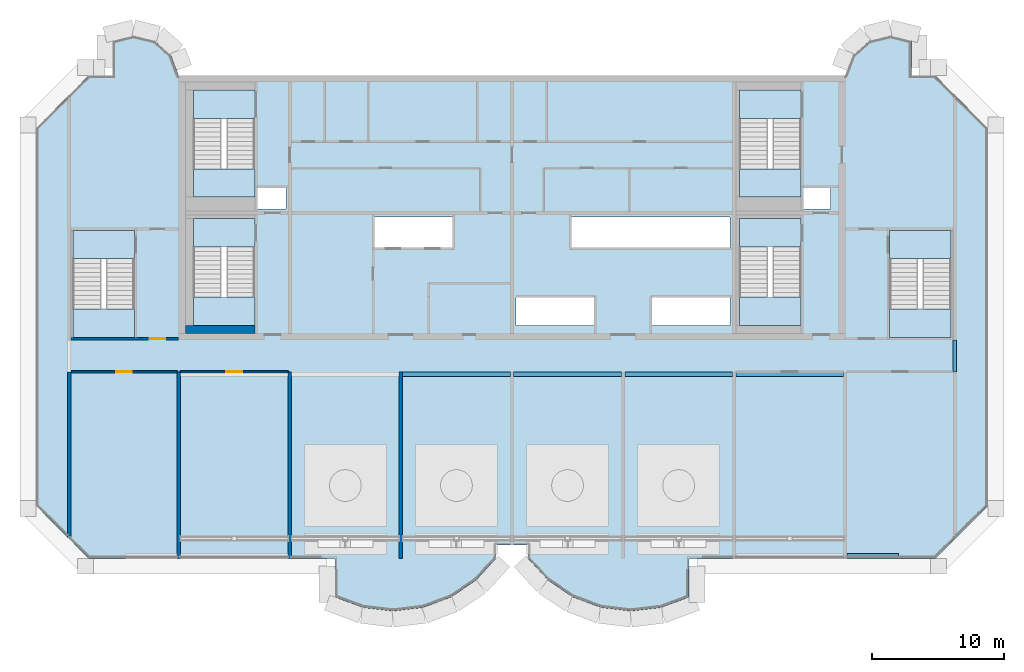
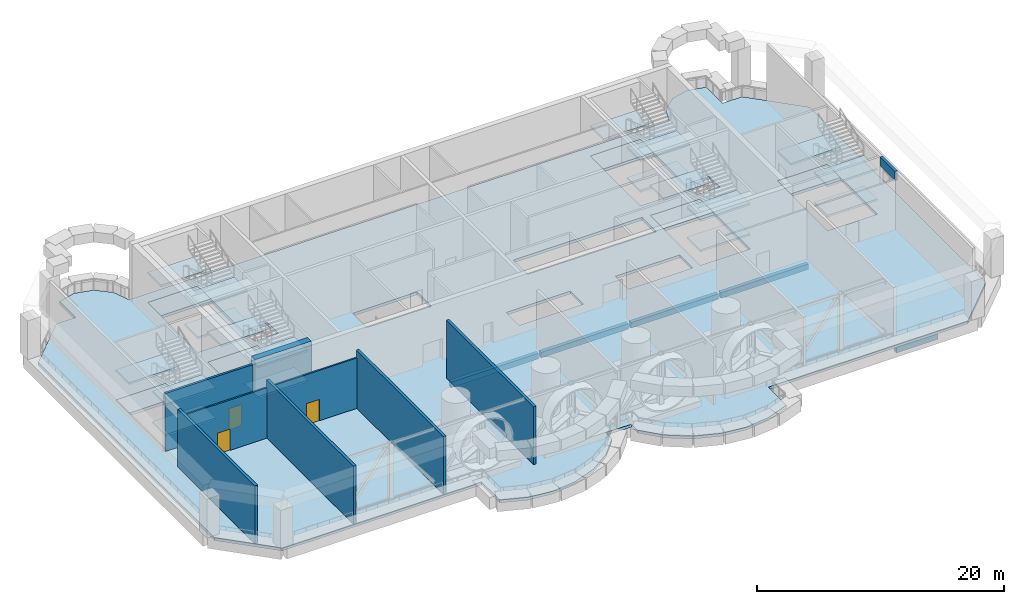
# One storey, part 2 of 15: 25 slabs, 8 walls, 6 beams, 3 doors, 3 openings, 6 elements without a shape of their own.
"""IFC4 building model written with IfcOpenShell, lengths in metres."""

from ifc_helpers import new_model, si_unit, direction, frame, frame_2d, origin, origin_2d, place, context, subcontext, project, spatial, polyline, rectangle, outline, extrude, source, transform, mapped, material, layer, layer_set, material_profile, profile_set, type_object, element, fill, aggregate, save


model = new_model("IFC4")

# Units and contexts
model_context = context("Model", 3, precision=1e-05, world=origin(), true_north=direction((0.0, 1.0)))
body_context = subcontext(model_context, "Body", "Model", "MODEL_VIEW")
ifc_project = project(units=[si_unit("LENGTHUNIT", "METRE"), si_unit("AREAUNIT", "SQUARE_METRE"), si_unit("VOLUMEUNIT", "CUBIC_METRE"), si_unit("PLANEANGLEUNIT", "RADIAN"), si_unit("MASSUNIT", "GRAM", prefix="KILO")], contexts=[model_context])

# Site, building, storey
site_placement = place(None, origin())
site = spatial("IfcSite", under=ifc_project, at=site_placement, CompositionType="ELEMENT")
building_placement = place(site_placement, origin())
building = spatial("IfcBuilding", under=site, at=building_placement, Name="Vanashikhar Sky Hotel", CompositionType="ELEMENT")
storey_placement = place(building_placement, frame((0.0, 0.0, 317.699951171875)))
storey = spatial("IfcBuildingStorey", under=building, at=storey_placement, Name="L76", CompositionType="ELEMENT", Elevation=317.699951171875)

# Beams
ifc_material_1 = material(Name="Concrete M50", Category="concrete")
ifc_material_profile_1 = material_profile(ifc_material_1, rectangle(XDim=0.25, YDim=0.89990234375, at=origin_2d()))
ifc_profile_set_1 = profile_set([ifc_material_profile_1], Name="RC 250x900 beam Concrete M50")
beam_type_1 = type_object("IfcBeamType", Name="RC 250x900 beam Concrete M50", PredefinedType="LINTEL", material=ifc_profile_set_1)
shared_shape_1 = source(origin(), body_context, "Body", "SweptSolid", [
    extrude(rectangle(XDim=0.25, YDim=0.89990234375, at=origin_2d()), origin(), (0.0, 0.0, 1.0), 2.39990234375),
])
beam_1_placement = place(storey_placement, frame((83.875, 19.60009765625, 5.27001953125), z_axis=(0.0, 1.0, 0.0), x_axis=(-1.0, 0.0, 0.0)))
element("IfcBeam", 1, at=beam_1_placement, inside=storey, type_object=beam_type_1, Name="LB-L76-XW11", PredefinedType="LINTEL", context=body_context, shape_type="MappedRepresentation", body=[
    mapped(shared_shape_1, transform((0.0, 0.0, 0.0), scale=1.0)),
])
ifc_material_profile_2 = material_profile(ifc_material_1, rectangle(XDim=0.35009765625, YDim=0.550048828125, at=origin_2d()))
ifc_profile_set_2 = profile_set([ifc_material_profile_2], Name="RC 350x550 beam Concrete M50")
beam_type_2 = type_object("IfcBeamType", Name="RC 350x550 beam Concrete M50", PredefinedType="SPANDREL", material=ifc_profile_set_2)
shared_shape_2 = source(origin(), body_context, "Body", "SweptSolid", [
    extrude(rectangle(XDim=0.35009765625, YDim=0.550048828125, at=origin_2d()), origin(), (0.0, 0.0, 1.0), 8.150146484375),
])
for number, where, z_axis, x_axis, name in (
    (2, (50.52490234375, 19.425048828125, -0.554931640625), (1.0, 0.0, 0.0), (0.0, 1.0, 0.0), "CB-L76-04"),
    (3, (67.324951171875, 19.425048828125, -0.554931640625), (1.0, 0.0, 0.0), (0.0, 1.0, 0.0), "CB-L76-06"),
):
    element("IfcBeam", number, at=place(storey_placement, frame(where, z_axis=z_axis, x_axis=x_axis)), inside=storey, type_object=beam_type_2, Name=name, PredefinedType="SPANDREL", context=body_context, shape_type="MappedRepresentation", body=[
        mapped(shared_shape_2, transform((0.0, 0.0, 0.0), scale=1.0)),
    ])
ifc_material_profile_3 = material_profile(ifc_material_1, rectangle(XDim=0.35009765625, YDim=0.550048828125, at=origin_2d()))
ifc_profile_set_3 = profile_set([ifc_material_profile_3], Name="RC 350x550 cantilever beam Concrete M50")
beam_type_3 = type_object("IfcBeamType", Name="RC 350x550 cantilever beam Concrete M50", PredefinedType="SPANDREL", material=ifc_profile_set_3)
shared_shape_3 = source(origin(), body_context, "Body", "SweptSolid", [
    extrude(rectangle(XDim=0.35009765625, YDim=0.550048828125, at=origin_2d()), origin(), (0.0, 0.0, 1.0), 3.89990234375),
])
beam_2_placement = place(storey_placement, frame((75.72509765625, 5.675048828125, -0.554931640625), z_axis=(1.0, 0.0, 0.0), x_axis=(0.0, 1.0, 0.0)))
element("IfcBeam", 4, at=beam_2_placement, inside=storey, type_object=beam_type_3, Name="EB-L76-F04", PredefinedType="SPANDREL", context=body_context, shape_type="MappedRepresentation", body=[
    mapped(shared_shape_3, transform((0.0, 0.0, 0.0), scale=1.0)),
])
shared_shape_4 = source(origin(), body_context, "Body", "SweptSolid", [
    extrude(rectangle(XDim=0.35009765625, YDim=0.550048828125, at=origin_2d()), origin(), (0.0, 0.0, 1.0), 8.14990234375),
])
for number, where, z_axis, x_axis, name in (
    (5, (42.125, 19.425048828125, -0.554931640625), (1.0, 0.0, 0.0), (0.0, 1.0, 0.0), "CB-L76-03"),
    (6, (58.925048828125, 19.425048828125, -0.554931640625), (1.0, 0.0, 0.0), (0.0, 1.0, 0.0), "CB-L76-05"),
):
    element("IfcBeam", number, at=place(storey_placement, frame(where, z_axis=z_axis, x_axis=x_axis)), inside=storey, type_object=beam_type_2, Name=name, PredefinedType="SPANDREL", context=body_context, shape_type="MappedRepresentation", body=[
        mapped(shared_shape_4, transform((0.0, 0.0, 0.0), scale=1.0)),
    ])

# Slab
ifc_material_2 = material(Name="Concrete M40", Category="concrete")
ifc_layer_1 = layer(ifc_material_2, 0.280029296875)
ifc_layer_set_1 = layer_set([ifc_layer_1], Name="Floor slab 280 mm")
slab_type_1 = type_object("IfcSlabType", Name="Floor slab 280 mm", PredefinedType="FLOOR", material=ifc_layer_set_1)
shared_shape_5 = source(origin(), body_context, "Body", "SweptSolid", [
    extrude(outline(polyline([(49.199951171875, 5.5), (49.199951171875, 6.5), (51.60009765625, 6.5), (51.60009765625, 5.5), (53.133056640625, 3.825927734375), (55.01708984375, 2.55810546875), (57.14599609375, 1.76806640625), (59.39990234375, 1.5), (61.654052734375, 1.76806640625), (63.782958984375, 2.55810546875), (63.782958984375, 5.5), (82.39990234375, 5.5), (86.39990234375, 9.5), (86.39990234375, 38.0), (82.39990234375, 42.0), (80.587890625, 42.0), (80.587890625, 44.610107421875), (79.0, 45.0), (77.412109375, 44.610107421875), (76.18505859375, 43.527099609375), (75.60009765625, 42.0), (25.199951171875, 42.0), (24.614990234375, 43.527099609375), (23.387939453125, 44.610107421875), (21.800048828125, 45.0), (20.2119140625, 44.610107421875), (20.2119140625, 42.0), (18.39990234375, 42.0), (14.39990234375, 38.0), (14.39990234375, 9.5), (18.39990234375, 5.5), (37.01708984375, 5.5), (37.01708984375, 2.55810546875), (39.14599609375, 1.76806640625), (41.39990234375, 1.5), (43.654052734375, 1.76806640625), (45.782958984375, 2.55810546875), (47.6669921875, 3.825927734375), (49.199951171875, 5.5)]), holes=[polyline([(33.300048828125, 33.60009765625), (31.050048828125, 33.60009765625), (31.050048828125, 31.89990234375), (33.300048828125, 31.89990234375), (33.300048828125, 33.60009765625)]), polyline([(39.89990234375, 31.300048828125), (39.89990234375, 29.0), (45.89990234375, 29.0), (45.89990234375, 31.300048828125), (39.89990234375, 31.300048828125)]), polyline([(50.699951171875, 25.199951171875), (50.699951171875, 23.10009765625), (56.699951171875, 23.10009765625), (56.699951171875, 25.199951171875), (50.699951171875, 25.199951171875)]), polyline([(66.89990234375, 29.0), (66.89990234375, 31.300048828125), (54.89990234375, 31.300048828125), (54.89990234375, 29.0), (66.89990234375, 29.0)]), polyline([(60.89990234375, 25.199951171875), (60.89990234375, 23.10009765625), (66.89990234375, 23.10009765625), (66.89990234375, 25.199951171875), (60.89990234375, 25.199951171875)]), polyline([(74.5, 33.60009765625), (72.35009765625, 33.60009765625), (72.35009765625, 31.89990234375), (74.5, 31.89990234375), (74.5, 33.60009765625)]), polyline([(30.949951171875, 23.10009765625), (30.949951171875, 31.199951171875), (26.300048828125, 31.199951171875), (26.300048828125, 23.10009765625), (30.949951171875, 23.10009765625)]), polyline([(72.25, 23.10009765625), (72.25, 31.199951171875), (67.60009765625, 31.199951171875), (67.60009765625, 23.10009765625), (72.25, 23.10009765625)]), polyline([(30.949951171875, 32.800048828125), (30.949951171875, 40.89990234375), (26.300048828125, 40.89990234375), (26.300048828125, 32.800048828125), (30.949951171875, 32.800048828125)]), polyline([(72.25, 32.800048828125), (72.25, 40.89990234375), (67.60009765625, 40.89990234375), (67.60009765625, 32.800048828125), (72.25, 32.800048828125)]), polyline([(83.60009765625, 22.199951171875), (83.60009765625, 30.300048828125), (78.949951171875, 30.300048828125), (78.949951171875, 22.199951171875), (83.60009765625, 22.199951171875)]), polyline([(21.85009765625, 22.199951171875), (21.85009765625, 30.300048828125), (17.199951171875, 30.300048828125), (17.199951171875, 22.199951171875), (21.85009765625, 22.199951171875)])]), origin(), (0.0, 0.0, 1.0), 0.280029296875),
])
slab_1_placement = place(storey_placement, frame((0.0, 0.0, -0.280029296875)))
element("IfcSlab", 7, at=slab_1_placement, inside=storey, type_object=slab_type_1, Name="Floor slab L76", PredefinedType="FLOOR", context=body_context, shape_type="MappedRepresentation", body=[
    mapped(shared_shape_5, transform((0.0, 0.0, 0.0), scale=1.0)),
])

# Stair, slabs
stair_type = type_object("IfcStairType", Name="Exit stair 2150", PredefinedType="DOUBLE_RETURN_STAIR", material=ifc_material_2)
stair_1_placement = place(storey_placement, origin())
stair_1 = element("IfcStair", 8, at=stair_1_placement, inside=storey, type_object=stair_type, Name="L76 Exit stair 1", PredefinedType="DOUBLE_RETURN_STAIR")
ifc_layer_2 = layer(ifc_material_2, 0.199951171875)
ifc_layer_set_2 = layer_set([ifc_layer_2], Name="Stair landing 200")
slab_type_2 = type_object("IfcSlabType", Name="Stair landing 200", PredefinedType="LANDING", material=ifc_layer_set_2)
shared_shape_6 = source(origin(), body_context, "Body", "SweptSolid", [
    extrude(outline(polyline([(30.949951171875, 29.050048828125), (30.949951171875, 31.199951171875), (26.300048828125, 31.199951171875), (26.300048828125, 29.050048828125), (30.949951171875, 29.050048828125)])), origin(), (0.0, 0.0, 1.0), 0.199951171875),
])
slab_2_placement = place(storey_placement, frame((0.0, 0.0, 2.800048828125)))
slab_2 = element("IfcSlab", 9, at=slab_2_placement, type_object=slab_type_2, Name="ST-C1 landing 2", PredefinedType="LANDING", context=body_context, shape_type="MappedRepresentation", body=[
    mapped(shared_shape_6, transform((0.0, 0.0, 0.0), scale=1.0)),
])
shared_shape_7 = source(origin(), body_context, "Body", "SweptSolid", [
    extrude(outline(polyline([(30.949951171875, 23.10009765625), (30.949951171875, 25.25), (26.300048828125, 25.25), (26.300048828125, 23.10009765625), (30.949951171875, 23.10009765625)])), origin(), (0.0, 0.0, 1.0), 0.199951171875),
])
slab_3_placement = place(storey_placement, frame((0.0, 0.0, 1.300048828125)))
slab_3 = element("IfcSlab", 10, at=slab_3_placement, type_object=slab_type_2, Name="ST-C1 landing 1", PredefinedType="LANDING", context=body_context, shape_type="MappedRepresentation", body=[
    mapped(shared_shape_7, transform((0.0, 0.0, 0.0), scale=1.0)),
])
slab_4_placement = place(storey_placement, frame((0.0, 0.0, 4.300048828125)))
slab_4 = element("IfcSlab", 11, at=slab_4_placement, type_object=slab_type_2, Name="ST-C1 landing 3", PredefinedType="LANDING", context=body_context, shape_type="MappedRepresentation", body=[
    mapped(shared_shape_7, transform((0.0, 0.0, 0.0), scale=1.0)),
])
aggregate(stair_1, [slab_3, slab_2, slab_4])

# Slab
ifc_layer_3 = layer(ifc_material_2, 0.280029296875)
ifc_layer_set_3 = layer_set([ifc_layer_3], Name="Stair floor landing 280")
slab_type_3 = type_object("IfcSlabType", Name="Stair floor landing 280", PredefinedType="LANDING", material=ifc_layer_set_3)
shared_shape_8 = source(origin(), body_context, "Body", "SweptSolid", [
    extrude(outline(polyline([(30.949951171875, 29.050048828125), (30.949951171875, 31.199951171875), (26.300048828125, 31.199951171875), (26.300048828125, 29.050048828125), (30.949951171875, 29.050048828125)])), origin(), (0.0, 0.0, 1.0), 0.280029296875),
])
slab_5_placement = place(storey_placement, frame((0.0, 0.0, -0.280029296875)))
element("IfcSlab", 12, at=slab_5_placement, inside=storey, type_object=slab_type_3, Name="Exit stair 1 floor landing", PredefinedType="LANDING", context=body_context, shape_type="MappedRepresentation", body=[
    mapped(shared_shape_8, transform((0.0, 0.0, 0.0), scale=1.0)),
])

# Stair, slabs
stair_2_placement = place(storey_placement, origin())
stair_2 = element("IfcStair", 13, at=stair_2_placement, inside=storey, type_object=stair_type, Name="L76 Exit stair 2", PredefinedType="DOUBLE_RETURN_STAIR")
shared_shape_9 = source(origin(), body_context, "Body", "SweptSolid", [
    extrude(outline(polyline([(72.25, 29.050048828125), (72.25, 31.199951171875), (67.60009765625, 31.199951171875), (67.60009765625, 29.050048828125), (72.25, 29.050048828125)])), origin(), (0.0, 0.0, 1.0), 0.199951171875),
])
slab_6_placement = place(storey_placement, frame((0.0, 0.0, 2.800048828125)))
slab_6 = element("IfcSlab", 14, at=slab_6_placement, type_object=slab_type_2, Name="ST-C2 landing 2", PredefinedType="LANDING", context=body_context, shape_type="MappedRepresentation", body=[
    mapped(shared_shape_9, transform((0.0, 0.0, 0.0), scale=1.0)),
])
shared_shape_10 = source(origin(), body_context, "Body", "SweptSolid", [
    extrude(outline(polyline([(72.25, 23.10009765625), (72.25, 25.25), (67.60009765625, 25.25), (67.60009765625, 23.10009765625), (72.25, 23.10009765625)])), origin(), (0.0, 0.0, 1.0), 0.199951171875),
])
slab_7_placement = place(storey_placement, frame((0.0, 0.0, 1.300048828125)))
slab_7 = element("IfcSlab", 15, at=slab_7_placement, type_object=slab_type_2, Name="ST-C2 landing 1", PredefinedType="LANDING", context=body_context, shape_type="MappedRepresentation", body=[
    mapped(shared_shape_10, transform((0.0, 0.0, 0.0), scale=1.0)),
])
slab_8_placement = place(storey_placement, frame((0.0, 0.0, 4.300048828125)))
slab_8 = element("IfcSlab", 16, at=slab_8_placement, type_object=slab_type_2, Name="ST-C2 landing 3", PredefinedType="LANDING", context=body_context, shape_type="MappedRepresentation", body=[
    mapped(shared_shape_10, transform((0.0, 0.0, 0.0), scale=1.0)),
])
aggregate(stair_2, [slab_7, slab_6, slab_8])

# Slab
shared_shape_11 = source(origin(), body_context, "Body", "SweptSolid", [
    extrude(outline(polyline([(72.25, 29.050048828125), (72.25, 31.199951171875), (67.60009765625, 31.199951171875), (67.60009765625, 29.050048828125), (72.25, 29.050048828125)])), origin(), (0.0, 0.0, 1.0), 0.280029296875),
])
slab_9_placement = place(storey_placement, frame((0.0, 0.0, -0.280029296875)))
element("IfcSlab", 17, at=slab_9_placement, inside=storey, type_object=slab_type_3, Name="Exit stair 2 floor landing", PredefinedType="LANDING", context=body_context, shape_type="MappedRepresentation", body=[
    mapped(shared_shape_11, transform((0.0, 0.0, 0.0), scale=1.0)),
])

# Stair, slabs
stair_3_placement = place(storey_placement, origin())
stair_3 = element("IfcStair", 18, at=stair_3_placement, inside=storey, type_object=stair_type, Name="L76 Exit stair 3", PredefinedType="DOUBLE_RETURN_STAIR")
shared_shape_12 = source(origin(), body_context, "Body", "SweptSolid", [
    extrude(outline(polyline([(21.85009765625, 28.14990234375), (21.85009765625, 30.300048828125), (17.199951171875, 30.300048828125), (17.199951171875, 28.14990234375), (21.85009765625, 28.14990234375)])), origin(), (0.0, 0.0, 1.0), 0.199951171875),
])
slab_10_placement = place(storey_placement, frame((0.0, 0.0, 2.800048828125)))
slab_10 = element("IfcSlab", 19, at=slab_10_placement, type_object=slab_type_2, Name="ST-W landing 2", PredefinedType="LANDING", context=body_context, shape_type="MappedRepresentation", body=[
    mapped(shared_shape_12, transform((0.0, 0.0, 0.0), scale=1.0)),
])
shared_shape_13 = source(origin(), body_context, "Body", "SweptSolid", [
    extrude(outline(polyline([(21.85009765625, 22.199951171875), (21.85009765625, 24.35009765625), (17.199951171875, 24.35009765625), (17.199951171875, 22.199951171875), (21.85009765625, 22.199951171875)])), origin(), (0.0, 0.0, 1.0), 0.199951171875),
])
slab_11_placement = place(storey_placement, frame((0.0, 0.0, 1.300048828125)))
slab_11 = element("IfcSlab", 20, at=slab_11_placement, type_object=slab_type_2, Name="ST-W landing 1", PredefinedType="LANDING", context=body_context, shape_type="MappedRepresentation", body=[
    mapped(shared_shape_13, transform((0.0, 0.0, 0.0), scale=1.0)),
])
slab_12_placement = place(storey_placement, frame((0.0, 0.0, 4.300048828125)))
slab_12 = element("IfcSlab", 21, at=slab_12_placement, type_object=slab_type_2, Name="ST-W landing 3", PredefinedType="LANDING", context=body_context, shape_type="MappedRepresentation", body=[
    mapped(shared_shape_13, transform((0.0, 0.0, 0.0), scale=1.0)),
])
aggregate(stair_3, [slab_11, slab_10, slab_12])

# Slab
shared_shape_14 = source(origin(), body_context, "Body", "SweptSolid", [
    extrude(outline(polyline([(21.85009765625, 28.14990234375), (21.85009765625, 30.300048828125), (17.199951171875, 30.300048828125), (17.199951171875, 28.14990234375), (21.85009765625, 28.14990234375)])), origin(), (0.0, 0.0, 1.0), 0.280029296875),
])
slab_13_placement = place(storey_placement, frame((0.0, 0.0, -0.280029296875)))
element("IfcSlab", 22, at=slab_13_placement, inside=storey, type_object=slab_type_3, Name="Exit stair 3 floor landing", PredefinedType="LANDING", context=body_context, shape_type="MappedRepresentation", body=[
    mapped(shared_shape_14, transform((0.0, 0.0, 0.0), scale=1.0)),
])

# Stair, slabs
stair_4_placement = place(storey_placement, origin())
stair_4 = element("IfcStair", 23, at=stair_4_placement, inside=storey, type_object=stair_type, Name="L76 Exit stair 4", PredefinedType="DOUBLE_RETURN_STAIR")
shared_shape_15 = source(origin(), body_context, "Body", "SweptSolid", [
    extrude(outline(polyline([(83.60009765625, 28.14990234375), (83.60009765625, 30.300048828125), (78.949951171875, 30.300048828125), (78.949951171875, 28.14990234375), (83.60009765625, 28.14990234375)])), origin(), (0.0, 0.0, 1.0), 0.199951171875),
])
slab_14_placement = place(storey_placement, frame((0.0, 0.0, 2.800048828125)))
slab_14 = element("IfcSlab", 24, at=slab_14_placement, type_object=slab_type_2, Name="ST-E landing 2", PredefinedType="LANDING", context=body_context, shape_type="MappedRepresentation", body=[
    mapped(shared_shape_15, transform((0.0, 0.0, 0.0), scale=1.0)),
])
shared_shape_16 = source(origin(), body_context, "Body", "SweptSolid", [
    extrude(outline(polyline([(83.60009765625, 22.199951171875), (83.60009765625, 24.35009765625), (78.949951171875, 24.35009765625), (78.949951171875, 22.199951171875), (83.60009765625, 22.199951171875)])), origin(), (0.0, 0.0, 1.0), 0.199951171875),
])
slab_15_placement = place(storey_placement, frame((0.0, 0.0, 1.300048828125)))
slab_15 = element("IfcSlab", 25, at=slab_15_placement, type_object=slab_type_2, Name="ST-E landing 1", PredefinedType="LANDING", context=body_context, shape_type="MappedRepresentation", body=[
    mapped(shared_shape_16, transform((0.0, 0.0, 0.0), scale=1.0)),
])
slab_16_placement = place(storey_placement, frame((0.0, 0.0, 4.300048828125)))
slab_16 = element("IfcSlab", 26, at=slab_16_placement, type_object=slab_type_2, Name="ST-E landing 3", PredefinedType="LANDING", context=body_context, shape_type="MappedRepresentation", body=[
    mapped(shared_shape_16, transform((0.0, 0.0, 0.0), scale=1.0)),
])
aggregate(stair_4, [slab_15, slab_14, slab_16])

# Slab
shared_shape_17 = source(origin(), body_context, "Body", "SweptSolid", [
    extrude(outline(polyline([(83.60009765625, 28.14990234375), (83.60009765625, 30.300048828125), (78.949951171875, 30.300048828125), (78.949951171875, 28.14990234375), (83.60009765625, 28.14990234375)])), origin(), (0.0, 0.0, 1.0), 0.280029296875),
])
slab_17_placement = place(storey_placement, frame((0.0, 0.0, -0.280029296875)))
element("IfcSlab", 27, at=slab_17_placement, inside=storey, type_object=slab_type_3, Name="Exit stair 4 floor landing", PredefinedType="LANDING", context=body_context, shape_type="MappedRepresentation", body=[
    mapped(shared_shape_17, transform((0.0, 0.0, 0.0), scale=1.0)),
])

# Stair, slabs
stair_5_placement = place(storey_placement, origin())
stair_5 = element("IfcStair", 28, at=stair_5_placement, inside=storey, type_object=stair_type, Name="L76 Exit stair 5", PredefinedType="DOUBLE_RETURN_STAIR")
shared_shape_18 = source(origin(), body_context, "Body", "SweptSolid", [
    extrude(outline(polyline([(30.949951171875, 38.75), (30.949951171875, 40.89990234375), (26.300048828125, 40.89990234375), (26.300048828125, 38.75), (30.949951171875, 38.75)])), origin(), (0.0, 0.0, 1.0), 0.199951171875),
])
slab_18_placement = place(storey_placement, frame((0.0, 0.0, 2.800048828125)))
slab_18 = element("IfcSlab", 29, at=slab_18_placement, type_object=slab_type_2, Name="ST-C3 landing 2", PredefinedType="LANDING", context=body_context, shape_type="MappedRepresentation", body=[
    mapped(shared_shape_18, transform((0.0, 0.0, 0.0), scale=1.0)),
])
shared_shape_19 = source(origin(), body_context, "Body", "SweptSolid", [
    extrude(outline(polyline([(30.949951171875, 32.800048828125), (30.949951171875, 34.949951171875), (26.300048828125, 34.949951171875), (26.300048828125, 32.800048828125), (30.949951171875, 32.800048828125)])), origin(), (0.0, 0.0, 1.0), 0.199951171875),
])
slab_19_placement = place(storey_placement, frame((0.0, 0.0, 1.300048828125)))
slab_19 = element("IfcSlab", 30, at=slab_19_placement, type_object=slab_type_2, Name="ST-C3 landing 1", PredefinedType="LANDING", context=body_context, shape_type="MappedRepresentation", body=[
    mapped(shared_shape_19, transform((0.0, 0.0, 0.0), scale=1.0)),
])
slab_20_placement = place(storey_placement, frame((0.0, 0.0, 4.300048828125)))
slab_20 = element("IfcSlab", 31, at=slab_20_placement, type_object=slab_type_2, Name="ST-C3 landing 3", PredefinedType="LANDING", context=body_context, shape_type="MappedRepresentation", body=[
    mapped(shared_shape_19, transform((0.0, 0.0, 0.0), scale=1.0)),
])
aggregate(stair_5, [slab_19, slab_18, slab_20])

# Slab
shared_shape_20 = source(origin(), body_context, "Body", "SweptSolid", [
    extrude(outline(polyline([(30.949951171875, 38.75), (30.949951171875, 40.89990234375), (26.300048828125, 40.89990234375), (26.300048828125, 38.75), (30.949951171875, 38.75)])), origin(), (0.0, 0.0, 1.0), 0.280029296875),
])
slab_21_placement = place(storey_placement, frame((0.0, 0.0, -0.280029296875)))
element("IfcSlab", 32, at=slab_21_placement, inside=storey, type_object=slab_type_3, Name="Exit stair 5 floor landing", PredefinedType="LANDING", context=body_context, shape_type="MappedRepresentation", body=[
    mapped(shared_shape_20, transform((0.0, 0.0, 0.0), scale=1.0)),
])

# Stair, slabs
stair_6_placement = place(storey_placement, origin())
stair_6 = element("IfcStair", 33, at=stair_6_placement, inside=storey, type_object=stair_type, Name="L76 Exit stair 6", PredefinedType="DOUBLE_RETURN_STAIR")
shared_shape_21 = source(origin(), body_context, "Body", "SweptSolid", [
    extrude(outline(polyline([(72.25, 38.75), (72.25, 40.89990234375), (67.60009765625, 40.89990234375), (67.60009765625, 38.75), (72.25, 38.75)])), origin(), (0.0, 0.0, 1.0), 0.199951171875),
])
slab_22_placement = place(storey_placement, frame((0.0, 0.0, 2.800048828125)))
slab_22 = element("IfcSlab", 34, at=slab_22_placement, type_object=slab_type_2, Name="ST-C4 landing 2", PredefinedType="LANDING", context=body_context, shape_type="MappedRepresentation", body=[
    mapped(shared_shape_21, transform((0.0, 0.0, 0.0), scale=1.0)),
])
shared_shape_22 = source(origin(), body_context, "Body", "SweptSolid", [
    extrude(outline(polyline([(72.25, 32.800048828125), (72.25, 34.949951171875), (67.60009765625, 34.949951171875), (67.60009765625, 32.800048828125), (72.25, 32.800048828125)])), origin(), (0.0, 0.0, 1.0), 0.199951171875),
])
slab_23_placement = place(storey_placement, frame((0.0, 0.0, 1.300048828125)))
slab_23 = element("IfcSlab", 35, at=slab_23_placement, type_object=slab_type_2, Name="ST-C4 landing 1", PredefinedType="LANDING", context=body_context, shape_type="MappedRepresentation", body=[
    mapped(shared_shape_22, transform((0.0, 0.0, 0.0), scale=1.0)),
])
slab_24_placement = place(storey_placement, frame((0.0, 0.0, 4.300048828125)))
slab_24 = element("IfcSlab", 36, at=slab_24_placement, type_object=slab_type_2, Name="ST-C4 landing 3", PredefinedType="LANDING", context=body_context, shape_type="MappedRepresentation", body=[
    mapped(shared_shape_22, transform((0.0, 0.0, 0.0), scale=1.0)),
])
aggregate(stair_6, [slab_23, slab_22, slab_24])

# Slab
shared_shape_23 = source(origin(), body_context, "Body", "SweptSolid", [
    extrude(outline(polyline([(72.25, 38.75), (72.25, 40.89990234375), (67.60009765625, 40.89990234375), (67.60009765625, 38.75), (72.25, 38.75)])), origin(), (0.0, 0.0, 1.0), 0.280029296875),
])
slab_25_placement = place(storey_placement, frame((0.0, 0.0, -0.280029296875)))
element("IfcSlab", 37, at=slab_25_placement, inside=storey, type_object=slab_type_3, Name="Exit stair 6 floor landing", PredefinedType="LANDING", context=body_context, shape_type="MappedRepresentation", body=[
    mapped(shared_shape_23, transform((0.0, 0.0, 0.0), scale=1.0)),
])

# Walls
ifc_layer_4 = layer(ifc_material_1, 0.25)
ifc_layer_set_4 = layer_set([ifc_layer_4], Name="RC shear wall 250 Concrete M50")
wall_type_1 = type_object("IfcWallType", Name="RC shear wall 250 Concrete M50", PredefinedType="SHEAR", material=ifc_layer_set_4)
shared_shape_24 = source(origin(), body_context, "Body", "SweptSolid", [
    extrude(rectangle(XDim=12.5, YDim=0.25, at=frame_2d((6.25, 0.0))), origin(), (0.0, 0.0, 1.0), 5.719970703125),
])
wall_1_placement = place(storey_placement, frame((16.925048828125, 7.10009765625, 0.0), z_axis=(0.0, 0.0, 1.0), x_axis=(0.0, 1.0, 0.0)))
element("IfcWall", 38, at=wall_1_placement, inside=storey, type_object=wall_type_1, Name="CW-L76-XW03-1", PredefinedType="SHEAR", context=body_context, shape_type="MappedRepresentation", body=[
    mapped(shared_shape_24, transform((0.0, 0.0, 0.0), scale=1.0)),
])
shared_shape_25 = source(origin(), body_context, "Body", "SweptSolid", [
    extrude(rectangle(XDim=14.10009765625, YDim=0.25, at=frame_2d((7.050048828125, 0.0))), origin(), (0.0, 0.0, 1.0), 5.719970703125),
])
for number, where, z_axis, x_axis, name in (
    (39, (25.199951171875, 5.5, 0.0), (0.0, 0.0, 1.0), (0.0, 1.0, 0.0), "CW-L76-XW04-1"),
    (40, (33.60009765625, 5.5, 0.0), (0.0, 0.0, 1.0), (0.0, 1.0, 0.0), "CW-L76-XW05-1"),
    (41, (42.0, 5.5, 0.0), (0.0, 0.0, 1.0), (0.0, 1.0, 0.0), "CW-L76-XW06-1"),
):
    element("IfcWall", number, at=place(storey_placement, frame(where, z_axis=z_axis, x_axis=x_axis)), inside=storey, type_object=wall_type_1, Name=name, PredefinedType="SHEAR", context=body_context, shape_type="MappedRepresentation", body=[
        mapped(shared_shape_25, transform((0.0, 0.0, 0.0), scale=1.0)),
    ])

# Wall, opening, door
ifc_layer_5 = layer(ifc_material_1, 0.199951171875)
ifc_layer_set_5 = layer_set([ifc_layer_5], Name="Stair wall 200")
wall_type_2 = type_object("IfcWallType", Name="Stair wall 200", PredefinedType="SOLIDWALL", material=ifc_layer_set_5)
shared_shape_26 = source(origin(), body_context, "Body", "SweptSolid", [
    extrude(rectangle(XDim=8.14990234375, YDim=0.199951171875, at=frame_2d((4.074951171875, 0.0))), origin(), (0.0, 0.0, 1.0), 5.719970703125),
])
wall_2_placement = place(storey_placement, frame((17.050048828125, 22.10009765625, 0.0), z_axis=(0.0, 0.0, 1.0), x_axis=(1.0, 0.0, 0.0)))
wall_2 = element("IfcWall", 42, at=wall_2_placement, inside=storey, type_object=wall_type_2, Name="Stair wall 200", PredefinedType="SOLIDWALL", context=body_context, shape_type="MappedRepresentation", body=[
    mapped(shared_shape_26, transform((0.0, 0.0, 0.0), scale=1.0)),
])
shared_shape_27 = source(origin(), body_context, "Body", "SweptSolid", [
    extrude(rectangle(XDim=1.199951171875, YDim=2.10009765625, at=frame_2d((0.60009765625, 1.050048828125))), frame((0.0, 0.10986328125, 0.0), z_axis=(0.0, -1.0, 0.0), x_axis=(1.0, 0.0, 0.0)), (0.0, 0.0, 1.0), 0.219970703125),
])
opening_1_placement = place(wall_2_placement, frame((5.949951171875, 0.0, 0.0)))
opening_1 = element("IfcOpeningElement", 43, at=opening_1_placement, cuts=wall_2, Name="Opening DC-2", PredefinedType="OPENING", context=body_context, shape_type="MappedRepresentation", body=[
    mapped(shared_shape_27, transform((0.0, 0.0, 0.0), scale=1.0)),
])
ifc_material_3 = material(Name="Steel", Category="steel")
door_type_1 = type_object("IfcDoorType", Name="Firefighting lobby door 1200 FD120", OperationType="NOTDEFINED", PredefinedType="DOOR", material=ifc_material_3)
shared_shape_28 = source(origin(), body_context, "Body", "SweptSolid", [
    extrude(rectangle(XDim=1.199951171875, YDim=2.10009765625, at=frame_2d((0.60009765625, 1.050048828125))), frame((0.0, 0.02490234375, 0.0), z_axis=(0.0, -1.0, 0.0), x_axis=(1.0, 0.0, 0.0)), (0.0, 0.0, 1.0), 0.050048828125),
])
door_1_placement = place(opening_1_placement, origin())
door_1 = element("IfcDoor", 44, at=door_1_placement, inside=storey, type_object=door_type_1, Name="Firefighting lobby door 1200 FD120", OperationType="SINGLE_SWING_LEFT", OverallHeight=2.10009765625, OverallWidth=1.199951171875, PredefinedType="DOOR", context=body_context, shape_type="MappedRepresentation", body=[
    mapped(shared_shape_28, transform((0.0, 0.0, 0.0), scale=1.0)),
])
fill(opening_1, door_1)

# Wall
ifc_layer_6 = layer(ifc_material_1, 0.60009765625)
ifc_layer_set_6 = layer_set([ifc_layer_6], Name="Stair infill wall 600")
wall_type_3 = type_object("IfcWallType", Name="Stair infill wall 600", PredefinedType="SOLIDWALL", material=ifc_layer_set_6)
shared_shape_29 = source(origin(), body_context, "Body", "SweptSolid", [
    extrude(rectangle(XDim=5.25, YDim=0.60009765625, at=frame_2d((2.625, 0.0))), origin(), (0.0, 0.0, 1.0), 5.719970703125),
])
wall_3_placement = place(storey_placement, frame((25.699951171875, 22.800048828125, 0.0), z_axis=(0.0, 0.0, 1.0), x_axis=(1.0, 0.0, 0.0)))
element("IfcWall", 45, at=wall_3_placement, inside=storey, type_object=wall_type_3, Name="Stair infill wall 600", PredefinedType="SOLIDWALL", context=body_context, shape_type="MappedRepresentation", body=[
    mapped(shared_shape_29, transform((0.0, 0.0, 0.0), scale=1.0)),
])

# Wall, opening, door
ifc_material_4 = material(Name="Gypsum board partition")
ifc_layer_7 = layer(ifc_material_4, 0.14990234375)
ifc_layer_set_7 = layer_set([ifc_layer_7], Name="Service partition 150")
wall_type_4 = type_object("IfcWallType", Name="Service partition 150", PredefinedType="PARTITIONING", material=ifc_layer_set_7)
shared_shape_30 = source(origin(), body_context, "Body", "SweptSolid", [
    extrude(rectangle(XDim=8.02490234375, YDim=0.14990234375, at=frame_2d((4.012451171875, 0.0))), origin(), (0.0, 0.0, 1.0), 4.969970703125),
])
wall_4_placement = place(storey_placement, frame((17.050048828125, 19.60009765625, 0.0), z_axis=(0.0, 0.0, 1.0), x_axis=(1.0, 0.0, 0.0)))
wall_4 = element("IfcWall", 46, at=wall_4_placement, inside=storey, type_object=wall_type_4, Name="Service partition 150", PredefinedType="PARTITIONING", context=body_context, shape_type="MappedRepresentation", body=[
    mapped(shared_shape_30, transform((0.0, 0.0, 0.0), scale=1.0)),
])
shared_shape_31 = source(origin(), body_context, "Body", "SweptSolid", [
    extrude(rectangle(XDim=1.199951171875, YDim=2.10009765625, at=frame_2d((0.60009765625, 1.050048828125))), frame((0.0, 0.0849609375, 0.0), z_axis=(0.0, -1.0, 0.0), x_axis=(1.0, 0.0, 0.0)), (0.0, 0.0, 1.0), 0.169921875),
])
opening_2_placement = place(wall_4_placement, frame((3.412109375, 0.0, 0.0)))
opening_2 = element("IfcOpeningElement", 47, at=opening_2_placement, cuts=wall_4, Name="Opening DC-4-D", PredefinedType="OPENING", context=body_context, shape_type="MappedRepresentation", body=[
    mapped(shared_shape_31, transform((0.0, 0.0, 0.0), scale=1.0)),
])
door_type_2 = type_object("IfcDoorType", Name="Service door 1200 FD120", OperationType="NOTDEFINED", PredefinedType="DOOR", material=ifc_material_3)
door_2_placement = place(opening_2_placement, origin())
door_2 = element("IfcDoor", 48, at=door_2_placement, inside=storey, type_object=door_type_2, Name="Service door 1200 FD120", OperationType="SINGLE_SWING_RIGHT", OverallHeight=2.10009765625, OverallWidth=1.199951171875, PredefinedType="DOOR", context=body_context, shape_type="MappedRepresentation", body=[
    mapped(shared_shape_28, transform((0.0, 0.0, 0.0), scale=1.0)),
])
fill(opening_2, door_2)

shared_shape_32 = source(origin(), body_context, "Body", "SweptSolid", [
    extrude(rectangle(XDim=8.150146484375, YDim=0.14990234375, at=frame_2d((4.0751953125, 0.0))), origin(), (0.0, 0.0, 1.0), 4.969970703125),
])
wall_5_placement = place(storey_placement, frame((25.324951171875, 19.60009765625, 0.0), z_axis=(0.0, 0.0, 1.0), x_axis=(1.0, 0.0, 0.0)))
wall_5 = element("IfcWall", 49, at=wall_5_placement, inside=storey, type_object=wall_type_4, Name="Service partition 150", PredefinedType="PARTITIONING", context=body_context, shape_type="MappedRepresentation", body=[
    mapped(shared_shape_32, transform((0.0, 0.0, 0.0), scale=1.0)),
])
opening_3_placement = place(wall_5_placement, frame((3.47509765625, 0.0, 0.0)))
opening_3 = element("IfcOpeningElement", 50, at=opening_3_placement, cuts=wall_5, Name="Opening DC-4-D", PredefinedType="OPENING", context=body_context, shape_type="MappedRepresentation", body=[
    mapped(shared_shape_31, transform((0.0, 0.0, 0.0), scale=1.0)),
])
door_3_placement = place(opening_3_placement, origin())
door_3 = element("IfcDoor", 51, at=door_3_placement, inside=storey, type_object=door_type_2, Name="Service door 1200 FD120", OperationType="SINGLE_SWING_RIGHT", OverallHeight=2.10009765625, OverallWidth=1.199951171875, PredefinedType="DOOR", context=body_context, shape_type="MappedRepresentation", body=[
    mapped(shared_shape_28, transform((0.0, 0.0, 0.0), scale=1.0)),
])
fill(opening_3, door_3)

save(model, "model.ifc")
